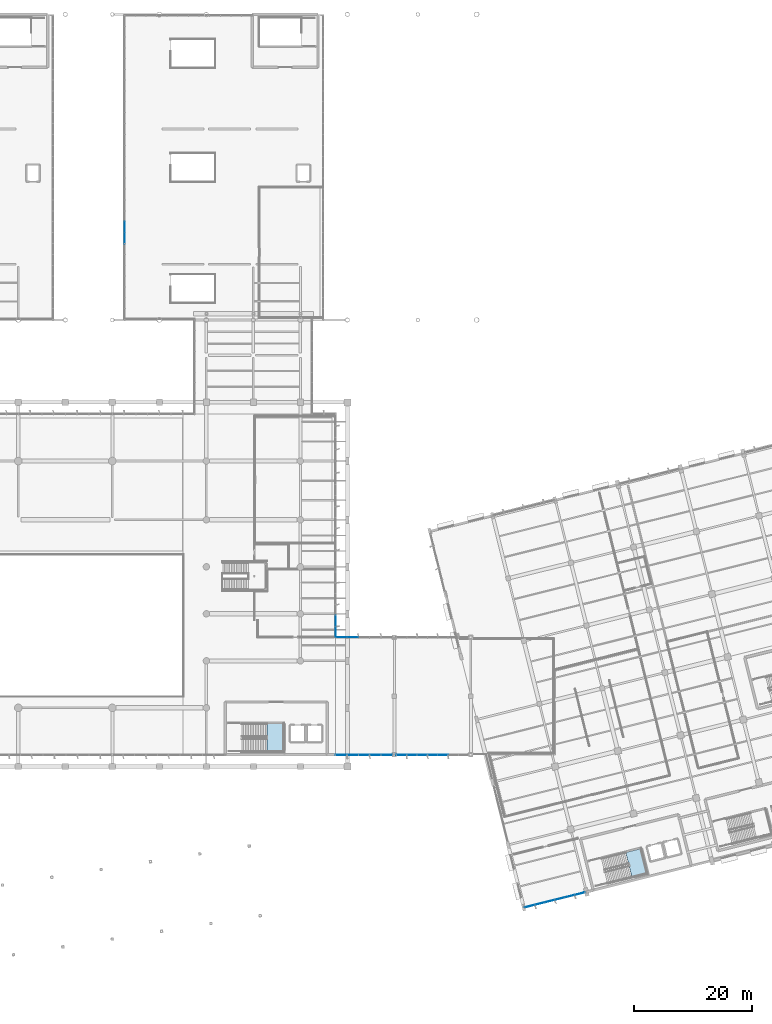
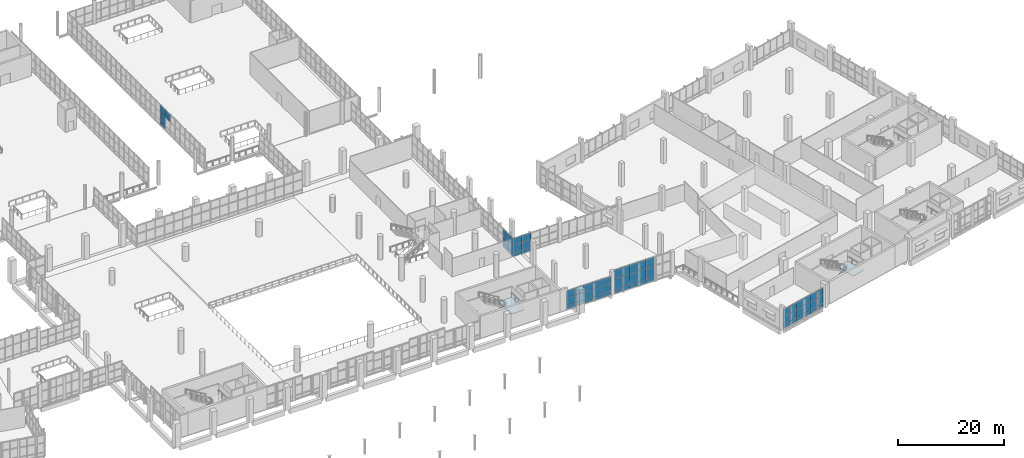
# One storey, part 127 of 176: 64 plates, 2 slabs, 8 elements without a shape of their own.
"""IFC4 building model written with IfcOpenShell, lengths in metres."""

from ifc_helpers import new_model, si_unit, direction, frame, origin, origin_2d, place, context, subcontext, project, spatial, polyline, rectangle, outline, extrude, material, layer, layer_set, type_object, element, aggregate, save


model = new_model("IFC4")

# Units and contexts
model_context = context("Model", 3, precision=1e-05, world=origin(), true_north=direction((0.0, 1.0)))
body_context = subcontext(model_context, "Body", "Model", "MODEL_VIEW")
ifc_project = project(units=[si_unit("LENGTHUNIT", "METRE"), si_unit("AREAUNIT", "SQUARE_METRE"), si_unit("VOLUMEUNIT", "CUBIC_METRE"), si_unit("PLANEANGLEUNIT", "RADIAN"), si_unit("MASSUNIT", "GRAM", prefix="KILO")], contexts=[model_context])

# Site, building, storey
site_placement = place(None, origin())
site = spatial("IfcSite", under=ifc_project, at=site_placement, CompositionType="ELEMENT")
building_placement = place(site_placement, origin())
building = spatial("IfcBuilding", under=site, at=building_placement, Name="Khorjan Park Terminus", CompositionType="ELEMENT")
storey_placement = place(building_placement, frame((0.0, 0.0, 6.0)))
storey = spatial("IfcBuildingStorey", under=building, at=storey_placement, Name="L01", CompositionType="ELEMENT", Elevation=6.0)

# Curtain wall, plates
ifc_material_1 = material(Name="Anodized Bronze Aluminium", Category="aluminium")
ifc_layer_1 = layer(ifc_material_1, 0.22)
ifc_layer_set_1 = layer_set([ifc_layer_1], Name="Anodized Bronze Aluminium")
curtain_wall_type_1 = type_object("IfcCurtainWallType", Name="CW-BRG-D", PredefinedType="NOTDEFINED", material=ifc_layer_set_1)
curtain_wall_1_placement = place(storey_placement, origin())
curtain_wall_1 = element("IfcCurtainWall", 1, at=curtain_wall_1_placement, inside=storey, type_object=curtain_wall_type_1, Name="Unitized curtain wall CW-D (CW-BRE-W-2)", PredefinedType="NOTDEFINED")
ifc_material_2 = material(Name="Low-E Solar Control Double Glazing", Category="glass")
ifc_layer_2 = layer(ifc_material_2, 0.032)
ifc_layer_set_2 = layer_set([ifc_layer_2], Name="Low-E Solar Control Double Glazing")
plate_type_1 = type_object("IfcPlateType", Name="GL-VIS-32", PredefinedType="CURTAIN_PANEL", material=ifc_layer_set_2)
plate_1_placement = place(storey_placement, frame((98.1, 117.7857, 0.85), z_axis=(0.0, 0.0, 1.0), x_axis=(0.0, -1.0, 0.0)))
plate_1 = element("IfcPlate", 2, at=plate_1_placement, type_object=plate_type_1, Name="Curtain-wall panel VP-32 (CW-BRE-W-2-5-2)", PredefinedType="CURTAIN_PANEL", context=body_context, shape_type="SweptSolid", body=[
    extrude(rectangle(XDim=1.8571, YDim=0.032, at=origin_2d()), origin(), (0.0, 0.0, 1.0), 2.002),
])
plate_2_placement = place(storey_placement, frame((98.1, 117.7857, 2.852), z_axis=(0.0, 0.0, 1.0), x_axis=(0.0, -1.0, 0.0)))
plate_2 = element("IfcPlate", 3, at=plate_2_placement, type_object=plate_type_1, Name="Curtain-wall panel VP-32 (CW-BRE-W-2-5-3)", PredefinedType="CURTAIN_PANEL", context=body_context, shape_type="SweptSolid", body=[
    extrude(rectangle(XDim=1.8571, YDim=0.032, at=origin_2d()), origin(), (0.0, 0.0, 1.0), 1.758),
])
plate_3_placement = place(storey_placement, frame((98.1, 115.9286, 2.852), z_axis=(0.0, 0.0, 1.0), x_axis=(0.0, -1.0, 0.0)))
plate_3 = element("IfcPlate", 4, at=plate_3_placement, type_object=plate_type_1, Name="Curtain-wall panel VP-32 (CW-BRE-W-2-6-3)", PredefinedType="CURTAIN_PANEL", context=body_context, shape_type="SweptSolid", body=[
    extrude(rectangle(XDim=1.8571, YDim=0.032, at=origin_2d()), origin(), (0.0, 0.0, 1.0), 1.758),
])

ifc_layer_3 = layer(ifc_material_1, 0.22)
ifc_layer_set_3 = layer_set([ifc_layer_3], Name="Anodized Bronze Aluminium")
curtain_wall_type_2 = type_object("IfcCurtainWallType", Name="CW-OPS-B", PredefinedType="NOTDEFINED", material=ifc_layer_set_3)
curtain_wall_2_placement = place(storey_placement, origin())
curtain_wall_2 = element("IfcCurtainWall", 5, at=curtain_wall_2_placement, inside=storey, type_object=curtain_wall_type_2, Name="Unitized curtain wall CW-B (CW-V5L-S-L01-1)", PredefinedType="NOTDEFINED")
ifc_material_3 = material(Name="Acoustic Laminated Solar Glazing", Category="glass")
ifc_layer_4 = layer(ifc_material_3, 0.036)
ifc_layer_set_4 = layer_set([ifc_layer_4], Name="Acoustic Laminated Solar Glazing")
plate_type_2 = type_object("IfcPlateType", Name="GL-VIS-36", PredefinedType="CURTAIN_PANEL", material=ifc_layer_set_4)
plate_4_placement = place(storey_placement, frame((134.9645, 28.0, 0.85), z_axis=(0.0, 0.0, 1.0), x_axis=(1.0, 0.0, 0.0)))
plate_4 = element("IfcPlate", 6, at=plate_4_placement, type_object=plate_type_2, Name="Curtain-wall panel VP-36 (CW-V5L-S-L01-1-0-2)", PredefinedType="CURTAIN_PANEL", context=body_context, shape_type="SweptSolid", body=[
    extrude(rectangle(XDim=1.929, YDim=0.036, at=origin_2d()), origin(), (0.0, 0.0, 1.0), 1.7695),
])
plate_5_placement = place(storey_placement, frame((134.9645, 28.0, 2.6196), z_axis=(0.0, 0.0, 1.0), x_axis=(1.0, 0.0, 0.0)))
plate_5 = element("IfcPlate", 7, at=plate_5_placement, type_object=plate_type_2, Name="Curtain-wall panel VP-36 (CW-V5L-S-L01-1-0-3)", PredefinedType="CURTAIN_PANEL", context=body_context, shape_type="SweptSolid", body=[
    extrude(rectangle(XDim=1.929, YDim=0.036, at=origin_2d()), origin(), (0.0, 0.0, 1.0), 1.6155),
])
plate_6_placement = place(storey_placement, frame((136.8935, 28.0, 0.85), z_axis=(0.0, 0.0, 1.0), x_axis=(1.0, 0.0, 0.0)))
plate_6 = element("IfcPlate", 8, at=plate_6_placement, type_object=plate_type_2, Name="Curtain-wall panel VP-36 (CW-V5L-S-L01-1-1-2)", PredefinedType="CURTAIN_PANEL", context=body_context, shape_type="SweptSolid", body=[
    extrude(rectangle(XDim=1.929, YDim=0.036, at=origin_2d()), origin(), (0.0, 0.0, 1.0), 1.7695),
])
plate_7_placement = place(storey_placement, frame((136.8935, 28.0, 2.6196), z_axis=(0.0, 0.0, 1.0), x_axis=(1.0, 0.0, 0.0)))
plate_7 = element("IfcPlate", 9, at=plate_7_placement, type_object=plate_type_2, Name="Curtain-wall panel VP-36 (CW-V5L-S-L01-1-1-3)", PredefinedType="CURTAIN_PANEL", context=body_context, shape_type="SweptSolid", body=[
    extrude(rectangle(XDim=1.929, YDim=0.036, at=origin_2d()), origin(), (0.0, 0.0, 1.0), 1.6155),
])
plate_8_placement = place(storey_placement, frame((138.8225, 28.0, 0.85), z_axis=(0.0, 0.0, 1.0), x_axis=(1.0, 0.0, 0.0)))
plate_8 = element("IfcPlate", 10, at=plate_8_placement, type_object=plate_type_2, Name="Curtain-wall panel VP-36 (CW-V5L-S-L01-1-2-2)", PredefinedType="CURTAIN_PANEL", context=body_context, shape_type="SweptSolid", body=[
    extrude(rectangle(XDim=1.929, YDim=0.036, at=origin_2d()), origin(), (0.0, 0.0, 1.0), 1.7695),
])
plate_9_placement = place(storey_placement, frame((138.8225, 28.0, 2.6196), z_axis=(0.0, 0.0, 1.0), x_axis=(1.0, 0.0, 0.0)))
plate_9 = element("IfcPlate", 11, at=plate_9_placement, type_object=plate_type_2, Name="Curtain-wall panel VP-36 (CW-V5L-S-L01-1-2-3)", PredefinedType="CURTAIN_PANEL", context=body_context, shape_type="SweptSolid", body=[
    extrude(rectangle(XDim=1.929, YDim=0.036, at=origin_2d()), origin(), (0.0, 0.0, 1.0), 1.6155),
])
plate_10_placement = place(storey_placement, frame((140.7515, 28.0, 0.85), z_axis=(0.0, 0.0, 1.0), x_axis=(1.0, 0.0, 0.0)))
plate_10 = element("IfcPlate", 12, at=plate_10_placement, type_object=plate_type_2, Name="Curtain-wall panel VP-36 (CW-V5L-S-L01-1-3-2)", PredefinedType="CURTAIN_PANEL", context=body_context, shape_type="SweptSolid", body=[
    extrude(rectangle(XDim=1.929, YDim=0.036, at=origin_2d()), origin(), (0.0, 0.0, 1.0), 1.7695),
])
plate_11_placement = place(storey_placement, frame((140.7515, 28.0, 2.6196), z_axis=(0.0, 0.0, 1.0), x_axis=(1.0, 0.0, 0.0)))
plate_11 = element("IfcPlate", 13, at=plate_11_placement, type_object=plate_type_2, Name="Curtain-wall panel VP-36 (CW-V5L-S-L01-1-3-3)", PredefinedType="CURTAIN_PANEL", context=body_context, shape_type="SweptSolid", body=[
    extrude(rectangle(XDim=1.929, YDim=0.036, at=origin_2d()), origin(), (0.0, 0.0, 1.0), 1.6155),
])
plate_12_placement = place(storey_placement, frame((142.6805, 28.0, 0.85), z_axis=(0.0, 0.0, 1.0), x_axis=(1.0, 0.0, 0.0)))
plate_12 = element("IfcPlate", 14, at=plate_12_placement, type_object=plate_type_2, Name="Curtain-wall panel VP-36 (CW-V5L-S-L01-1-4-2)", PredefinedType="CURTAIN_PANEL", context=body_context, shape_type="SweptSolid", body=[
    extrude(rectangle(XDim=1.929, YDim=0.036, at=origin_2d()), origin(), (0.0, 0.0, 1.0), 1.7695),
])
plate_13_placement = place(storey_placement, frame((142.6805, 28.0, 2.6196), z_axis=(0.0, 0.0, 1.0), x_axis=(1.0, 0.0, 0.0)))
plate_13 = element("IfcPlate", 15, at=plate_13_placement, type_object=plate_type_2, Name="Curtain-wall panel VP-36 (CW-V5L-S-L01-1-4-3)", PredefinedType="CURTAIN_PANEL", context=body_context, shape_type="SweptSolid", body=[
    extrude(rectangle(XDim=1.929, YDim=0.036, at=origin_2d()), origin(), (0.0, 0.0, 1.0), 1.6155),
])

curtain_wall_3_placement = place(storey_placement, origin())
curtain_wall_3 = element("IfcCurtainWall", 16, at=curtain_wall_3_placement, inside=storey, type_object=curtain_wall_type_2, Name="Unitized curtain wall CW-B (CW-V5L-N-L01-1)", PredefinedType="NOTDEFINED")
plate_14_placement = place(storey_placement, frame((136.8935, 48.0, 0.85), z_axis=(0.0, 0.0, 1.0), x_axis=(-1.0, 0.0, 0.0)))
plate_14 = element("IfcPlate", 17, at=plate_14_placement, type_object=plate_type_2, Name="Curtain-wall panel VP-36 (CW-V5L-N-L01-1-3-2)", PredefinedType="CURTAIN_PANEL", context=body_context, shape_type="SweptSolid", body=[
    extrude(rectangle(XDim=1.929, YDim=0.036, at=origin_2d()), origin(), (0.0, 0.0, 1.0), 1.7695),
])
plate_15_placement = place(storey_placement, frame((136.8935, 48.0, 2.6196), z_axis=(0.0, 0.0, 1.0), x_axis=(-1.0, 0.0, 0.0)))
plate_15 = element("IfcPlate", 18, at=plate_15_placement, type_object=plate_type_2, Name="Curtain-wall panel VP-36 (CW-V5L-N-L01-1-3-3)", PredefinedType="CURTAIN_PANEL", context=body_context, shape_type="SweptSolid", body=[
    extrude(rectangle(XDim=1.929, YDim=0.036, at=origin_2d()), origin(), (0.0, 0.0, 1.0), 1.6155),
])
plate_16_placement = place(storey_placement, frame((134.9645, 48.0, 0.85), z_axis=(0.0, 0.0, 1.0), x_axis=(-1.0, 0.0, 0.0)))
plate_16 = element("IfcPlate", 19, at=plate_16_placement, type_object=plate_type_2, Name="Curtain-wall panel VP-36 (CW-V5L-N-L01-1-4-2)", PredefinedType="CURTAIN_PANEL", context=body_context, shape_type="SweptSolid", body=[
    extrude(rectangle(XDim=1.929, YDim=0.036, at=origin_2d()), origin(), (0.0, 0.0, 1.0), 1.7695),
])
plate_17_placement = place(storey_placement, frame((134.9645, 48.0, 2.6196), z_axis=(0.0, 0.0, 1.0), x_axis=(-1.0, 0.0, 0.0)))
plate_17 = element("IfcPlate", 20, at=plate_17_placement, type_object=plate_type_2, Name="Curtain-wall panel VP-36 (CW-V5L-N-L01-1-4-3)", PredefinedType="CURTAIN_PANEL", context=body_context, shape_type="SweptSolid", body=[
    extrude(rectangle(XDim=1.929, YDim=0.036, at=origin_2d()), origin(), (0.0, 0.0, 1.0), 1.6155),
])

curtain_wall_4_placement = place(storey_placement, origin())
curtain_wall_4 = element("IfcCurtainWall", 21, at=curtain_wall_4_placement, inside=storey, type_object=curtain_wall_type_2, Name="Unitized curtain wall CW-B (CW-V5L-S-L01-2)", PredefinedType="NOTDEFINED")
plate_18_placement = place(storey_placement, frame((145.2328, 28.0, 0.85), z_axis=(0.0, 0.0, 1.0), x_axis=(1.0, 0.0, 0.0)))
plate_18 = element("IfcPlate", 22, at=plate_18_placement, type_object=plate_type_2, Name="Curtain-wall panel VP-36 (CW-V5L-S-L01-2-0-2)", PredefinedType="CURTAIN_PANEL", context=body_context, shape_type="SweptSolid", body=[
    extrude(rectangle(XDim=1.7557, YDim=0.036, at=origin_2d()), origin(), (0.0, 0.0, 1.0), 2.498),
])
plate_19_placement = place(storey_placement, frame((145.2328, 28.0, 3.348), z_axis=(0.0, 0.0, 1.0), x_axis=(1.0, 0.0, 0.0)))
plate_19 = element("IfcPlate", 23, at=plate_19_placement, type_object=plate_type_2, Name="Curtain-wall panel VP-36 (CW-V5L-S-L01-2-0-3)", PredefinedType="CURTAIN_PANEL", context=body_context, shape_type="SweptSolid", body=[
    extrude(rectangle(XDim=1.7557, YDim=0.036, at=origin_2d()), origin(), (0.0, 0.0, 1.0), 2.062),
])
plate_20_placement = place(storey_placement, frame((146.9886, 28.0, 0.85), z_axis=(0.0, 0.0, 1.0), x_axis=(1.0, 0.0, 0.0)))
plate_20 = element("IfcPlate", 24, at=plate_20_placement, type_object=plate_type_2, Name="Curtain-wall panel VP-36 (CW-V5L-S-L01-2-1-2)", PredefinedType="CURTAIN_PANEL", context=body_context, shape_type="SweptSolid", body=[
    extrude(rectangle(XDim=1.7557, YDim=0.036, at=origin_2d()), origin(), (0.0, 0.0, 1.0), 2.498),
])
plate_21_placement = place(storey_placement, frame((146.9886, 28.0, 3.348), z_axis=(0.0, 0.0, 1.0), x_axis=(1.0, 0.0, 0.0)))
plate_21 = element("IfcPlate", 25, at=plate_21_placement, type_object=plate_type_2, Name="Curtain-wall panel VP-36 (CW-V5L-S-L01-2-1-3)", PredefinedType="CURTAIN_PANEL", context=body_context, shape_type="SweptSolid", body=[
    extrude(rectangle(XDim=1.7557, YDim=0.036, at=origin_2d()), origin(), (0.0, 0.0, 1.0), 2.062),
])
plate_22_placement = place(storey_placement, frame((148.7442, 28.0, 0.85), z_axis=(0.0, 0.0, 1.0), x_axis=(1.0, 0.0, 0.0)))
plate_22 = element("IfcPlate", 26, at=plate_22_placement, type_object=plate_type_2, Name="Curtain-wall panel VP-36 (CW-V5L-S-L01-2-2-2)", PredefinedType="CURTAIN_PANEL", context=body_context, shape_type="SweptSolid", body=[
    extrude(rectangle(XDim=1.7557, YDim=0.036, at=origin_2d()), origin(), (0.0, 0.0, 1.0), 2.498),
])
plate_23_placement = place(storey_placement, frame((148.7442, 28.0, 3.348), z_axis=(0.0, 0.0, 1.0), x_axis=(1.0, 0.0, 0.0)))
plate_23 = element("IfcPlate", 27, at=plate_23_placement, type_object=plate_type_2, Name="Curtain-wall panel VP-36 (CW-V5L-S-L01-2-2-3)", PredefinedType="CURTAIN_PANEL", context=body_context, shape_type="SweptSolid", body=[
    extrude(rectangle(XDim=1.7557, YDim=0.036, at=origin_2d()), origin(), (0.0, 0.0, 1.0), 2.062),
])
plate_24_placement = place(storey_placement, frame((150.5, 28.0, 0.85), z_axis=(0.0, 0.0, 1.0), x_axis=(1.0, 0.0, 0.0)))
plate_24 = element("IfcPlate", 28, at=plate_24_placement, type_object=plate_type_2, Name="Curtain-wall panel VP-36 (CW-V5L-S-L01-2-3-2)", PredefinedType="CURTAIN_PANEL", context=body_context, shape_type="SweptSolid", body=[
    extrude(rectangle(XDim=1.7557, YDim=0.036, at=origin_2d()), origin(), (0.0, 0.0, 1.0), 2.498),
])
plate_25_placement = place(storey_placement, frame((150.5, 28.0, 3.348), z_axis=(0.0, 0.0, 1.0), x_axis=(1.0, 0.0, 0.0)))
plate_25 = element("IfcPlate", 29, at=plate_25_placement, type_object=plate_type_2, Name="Curtain-wall panel VP-36 (CW-V5L-S-L01-2-3-3)", PredefinedType="CURTAIN_PANEL", context=body_context, shape_type="SweptSolid", body=[
    extrude(rectangle(XDim=1.7557, YDim=0.036, at=origin_2d()), origin(), (0.0, 0.0, 1.0), 2.062),
])
plate_26_placement = place(storey_placement, frame((152.2558, 28.0, 0.85), z_axis=(0.0, 0.0, 1.0), x_axis=(1.0, 0.0, 0.0)))
plate_26 = element("IfcPlate", 30, at=plate_26_placement, type_object=plate_type_2, Name="Curtain-wall panel VP-36 (CW-V5L-S-L01-2-4-2)", PredefinedType="CURTAIN_PANEL", context=body_context, shape_type="SweptSolid", body=[
    extrude(rectangle(XDim=1.7557, YDim=0.036, at=origin_2d()), origin(), (0.0, 0.0, 1.0), 2.498),
])
plate_27_placement = place(storey_placement, frame((152.2558, 28.0, 3.348), z_axis=(0.0, 0.0, 1.0), x_axis=(1.0, 0.0, 0.0)))
plate_27 = element("IfcPlate", 31, at=plate_27_placement, type_object=plate_type_2, Name="Curtain-wall panel VP-36 (CW-V5L-S-L01-2-4-3)", PredefinedType="CURTAIN_PANEL", context=body_context, shape_type="SweptSolid", body=[
    extrude(rectangle(XDim=1.7557, YDim=0.036, at=origin_2d()), origin(), (0.0, 0.0, 1.0), 2.062),
])

curtain_wall_5_placement = place(storey_placement, origin())
curtain_wall_5 = element("IfcCurtainWall", 32, at=curtain_wall_5_placement, inside=storey, type_object=curtain_wall_type_2, Name="Unitized curtain wall CW-B (CW-V5-S-L01-B01)", PredefinedType="NOTDEFINED")
plate_28_placement = place(storey_placement, frame((167.0673, 2.266, 0.8499), z_axis=(0.0, 0.0, 1.0), x_axis=(0.970295567478, 0.241922532503, 0.0)))
plate_28 = element("IfcPlate", 33, at=plate_28_placement, type_object=plate_type_2, Name="Curtain-wall panel VP-36 (CW-V5-S-L01-B01-0-2)", PredefinedType="CURTAIN_PANEL", context=body_context, shape_type="SweptSolid", body=[
    extrude(rectangle(XDim=1.74, YDim=0.036, at=origin_2d()), origin(), (0.0, 0.0, 1.0), 1.8687),
])
plate_29_placement = place(storey_placement, frame((167.0673, 2.266, 2.7188), z_axis=(0.0, 0.0, 1.0), x_axis=(0.970295567478, 0.241922532503, 0.0)))
plate_29 = element("IfcPlate", 34, at=plate_29_placement, type_object=plate_type_2, Name="Curtain-wall panel VP-36 (CW-V5-S-L01-B01-0-3)", PredefinedType="CURTAIN_PANEL", context=body_context, shape_type="SweptSolid", body=[
    extrude(rectangle(XDim=1.74, YDim=0.036, at=origin_2d()), origin(), (0.0, 0.0, 1.0), 1.6763),
])
plate_30_placement = place(storey_placement, frame((168.7556, 2.687, 0.8499), z_axis=(0.0, 0.0, 1.0), x_axis=(0.970295567478, 0.241922532503, 0.0)))
plate_30 = element("IfcPlate", 35, at=plate_30_placement, type_object=plate_type_2, Name="Curtain-wall panel VP-36 (CW-V5-S-L01-B01-1-2)", PredefinedType="CURTAIN_PANEL", context=body_context, shape_type="SweptSolid", body=[
    extrude(rectangle(XDim=1.74, YDim=0.036, at=origin_2d()), origin(), (0.0, 0.0, 1.0), 1.8687),
])
plate_31_placement = place(storey_placement, frame((168.7556, 2.687, 2.7188), z_axis=(0.0, 0.0, 1.0), x_axis=(0.970295567478, 0.241922532503, 0.0)))
plate_31 = element("IfcPlate", 36, at=plate_31_placement, type_object=plate_type_2, Name="Curtain-wall panel VP-36 (CW-V5-S-L01-B01-1-3)", PredefinedType="CURTAIN_PANEL", context=body_context, shape_type="SweptSolid", body=[
    extrude(rectangle(XDim=1.74, YDim=0.036, at=origin_2d()), origin(), (0.0, 0.0, 1.0), 1.6763),
])
plate_32_placement = place(storey_placement, frame((170.4438, 3.1079, 0.8499), z_axis=(0.0, 0.0, 1.0), x_axis=(0.970295567478, 0.241922532503, 0.0)))
plate_32 = element("IfcPlate", 37, at=plate_32_placement, type_object=plate_type_2, Name="Curtain-wall panel VP-36 (CW-V5-S-L01-B01-2-2)", PredefinedType="CURTAIN_PANEL", context=body_context, shape_type="SweptSolid", body=[
    extrude(rectangle(XDim=1.74, YDim=0.036, at=origin_2d()), origin(), (0.0, 0.0, 1.0), 1.8687),
])
plate_33_placement = place(storey_placement, frame((170.4438, 3.1079, 2.7188), z_axis=(0.0, 0.0, 1.0), x_axis=(0.970295567478, 0.241922532503, 0.0)))
plate_33 = element("IfcPlate", 38, at=plate_33_placement, type_object=plate_type_2, Name="Curtain-wall panel VP-36 (CW-V5-S-L01-B01-2-3)", PredefinedType="CURTAIN_PANEL", context=body_context, shape_type="SweptSolid", body=[
    extrude(rectangle(XDim=1.74, YDim=0.036, at=origin_2d()), origin(), (0.0, 0.0, 1.0), 1.6763),
])
plate_34_placement = place(storey_placement, frame((172.1322, 3.5289, 0.8499), z_axis=(0.0, 0.0, 1.0), x_axis=(0.970295567478, 0.241922532503, 0.0)))
plate_34 = element("IfcPlate", 39, at=plate_34_placement, type_object=plate_type_2, Name="Curtain-wall panel VP-36 (CW-V5-S-L01-B01-3-2)", PredefinedType="CURTAIN_PANEL", context=body_context, shape_type="SweptSolid", body=[
    extrude(rectangle(XDim=1.74, YDim=0.036, at=origin_2d()), origin(), (0.0, 0.0, 1.0), 1.8687),
])
plate_35_placement = place(storey_placement, frame((172.1322, 3.5289, 2.7188), z_axis=(0.0, 0.0, 1.0), x_axis=(0.970295567478, 0.241922532503, 0.0)))
plate_35 = element("IfcPlate", 40, at=plate_35_placement, type_object=plate_type_2, Name="Curtain-wall panel VP-36 (CW-V5-S-L01-B01-3-3)", PredefinedType="CURTAIN_PANEL", context=body_context, shape_type="SweptSolid", body=[
    extrude(rectangle(XDim=1.74, YDim=0.036, at=origin_2d()), origin(), (0.0, 0.0, 1.0), 1.6763),
])
plate_36_placement = place(storey_placement, frame((173.8204, 3.9498, 0.8499), z_axis=(0.0, 0.0, 1.0), x_axis=(0.970295567478, 0.241922532503, 0.0)))
plate_36 = element("IfcPlate", 41, at=plate_36_placement, type_object=plate_type_2, Name="Curtain-wall panel VP-36 (CW-V5-S-L01-B01-4-2)", PredefinedType="CURTAIN_PANEL", context=body_context, shape_type="SweptSolid", body=[
    extrude(rectangle(XDim=1.74, YDim=0.036, at=origin_2d()), origin(), (0.0, 0.0, 1.0), 1.8687),
])
plate_37_placement = place(storey_placement, frame((173.8204, 3.9498, 2.7188), z_axis=(0.0, 0.0, 1.0), x_axis=(0.970295567478, 0.241922532503, 0.0)))
plate_37 = element("IfcPlate", 42, at=plate_37_placement, type_object=plate_type_2, Name="Curtain-wall panel VP-36 (CW-V5-S-L01-B01-4-3)", PredefinedType="CURTAIN_PANEL", context=body_context, shape_type="SweptSolid", body=[
    extrude(rectangle(XDim=1.74, YDim=0.036, at=origin_2d()), origin(), (0.0, 0.0, 1.0), 1.6763),
])
plate_38_placement = place(storey_placement, frame((175.5086, 4.3708, 0.8499), z_axis=(0.0, 0.0, 1.0), x_axis=(0.970295567478, 0.241922532503, 0.0)))
plate_38 = element("IfcPlate", 43, at=plate_38_placement, type_object=plate_type_2, Name="Curtain-wall panel VP-36 (CW-V5-S-L01-B01-5-2)", PredefinedType="CURTAIN_PANEL", context=body_context, shape_type="SweptSolid", body=[
    extrude(rectangle(XDim=1.74, YDim=0.036, at=origin_2d()), origin(), (0.0, 0.0, 1.0), 1.8687),
])
plate_39_placement = place(storey_placement, frame((175.5086, 4.3708, 2.7188), z_axis=(0.0, 0.0, 1.0), x_axis=(0.970295567478, 0.241922532503, 0.0)))
plate_39 = element("IfcPlate", 44, at=plate_39_placement, type_object=plate_type_2, Name="Curtain-wall panel VP-36 (CW-V5-S-L01-B01-5-3)", PredefinedType="CURTAIN_PANEL", context=body_context, shape_type="SweptSolid", body=[
    extrude(rectangle(XDim=1.74, YDim=0.036, at=origin_2d()), origin(), (0.0, 0.0, 1.0), 1.6763),
])

ifc_layer_5 = layer(ifc_material_1, 0.22)
ifc_layer_set_5 = layer_set([ifc_layer_5], Name="Anodized Bronze Aluminium")
curtain_wall_type_3 = type_object("IfcCurtainWallType", Name="CW-CONC-A", PredefinedType="NOTDEFINED", material=ifc_layer_set_5)
curtain_wall_6_placement = place(storey_placement, origin())
curtain_wall_6 = element("IfcCurtainWall", 45, at=curtain_wall_6_placement, inside=storey, type_object=curtain_wall_type_3, Name="Unitized curtain wall CW-A (CW-V2-E-L01-02)", PredefinedType="NOTDEFINED")
ifc_material_4 = material(Name="Triple Low-E High-Selectivity Glazing", Category="glass")
ifc_layer_6 = layer(ifc_material_4, 0.04)
ifc_layer_set_6 = layer_set([ifc_layer_6], Name="Triple Low-E High-Selectivity Glazing")
plate_type_3 = type_object("IfcPlateType", Name="GL-VIS-40", PredefinedType="CURTAIN_PANEL", material=ifc_layer_set_6)
plate_40_placement = place(storey_placement, frame((134.0, 48.9286, 0.85), z_axis=(0.0, 0.0, 1.0), x_axis=(0.0, 1.0, 0.0)))
plate_40 = element("IfcPlate", 46, at=plate_40_placement, type_object=plate_type_3, Name="Curtain-wall panel VP-40 (CW-V2-E-L01-02-0-2)", PredefinedType="CURTAIN_PANEL", context=body_context, shape_type="SweptSolid", body=[
    extrude(rectangle(XDim=1.8571, YDim=0.04, at=origin_2d()), origin(), (0.0, 0.0, 1.0), 1.7633),
])
plate_41_placement = place(storey_placement, frame((134.0, 48.9286, 2.6134), z_axis=(0.0, 0.0, 1.0), x_axis=(0.0, 1.0, 0.0)))
plate_41 = element("IfcPlate", 47, at=plate_41_placement, type_object=plate_type_3, Name="Curtain-wall panel VP-40 (CW-V2-E-L01-02-0-3)", PredefinedType="CURTAIN_PANEL", context=body_context, shape_type="SweptSolid", body=[
    extrude(rectangle(XDim=1.8571, YDim=0.04, at=origin_2d()), origin(), (0.0, 0.0, 1.0), 1.6117),
])
plate_42_placement = place(storey_placement, frame((134.0, 50.7857, 0.85), z_axis=(0.0, 0.0, 1.0), x_axis=(0.0, 1.0, 0.0)))
plate_42 = element("IfcPlate", 48, at=plate_42_placement, type_object=plate_type_3, Name="Curtain-wall panel VP-40 (CW-V2-E-L01-02-1-2)", PredefinedType="CURTAIN_PANEL", context=body_context, shape_type="SweptSolid", body=[
    extrude(rectangle(XDim=1.8571, YDim=0.04, at=origin_2d()), origin(), (0.0, 0.0, 1.0), 1.7633),
])
plate_43_placement = place(storey_placement, frame((134.0, 50.7857, 2.6134), z_axis=(0.0, 0.0, 1.0), x_axis=(0.0, 1.0, 0.0)))
plate_43 = element("IfcPlate", 49, at=plate_43_placement, type_object=plate_type_3, Name="Curtain-wall panel VP-40 (CW-V2-E-L01-02-1-3)", PredefinedType="CURTAIN_PANEL", context=body_context, shape_type="SweptSolid", body=[
    extrude(rectangle(XDim=1.8571, YDim=0.04, at=origin_2d()), origin(), (0.0, 0.0, 1.0), 1.6117),
])

# Stair, slab
ifc_material_5 = material(Name="Concrete C40/50", Category="concrete")
stair_type_1 = type_object("IfcStairType", Name="STR-CORE-220", PredefinedType="HALF_TURN_STAIR", material=ifc_material_5)
stair_1_placement = place(storey_placement, origin())
stair_1 = element("IfcStair", 50, at=stair_1_placement, inside=storey, type_object=stair_type_1, Name="L01 East Concourse Core exit stair ST-02", PredefinedType="HALF_TURN_STAIR")
ifc_layer_7 = layer(ifc_material_5, 0.2)
ifc_layer_set_7 = layer_set([ifc_layer_7], Name="Concrete C40/50")
slab_type = type_object("IfcSlabType", Name="SL-LND-200", PredefinedType="LANDING", material=ifc_layer_set_7)
slab_1_placement = place(storey_placement, frame((0.0, 0.0, 2.5)))
slab_1 = element("IfcSlab", 51, at=slab_1_placement, type_object=slab_type, Name="ST-02 landing 1", PredefinedType="LANDING", context=body_context, shape_type="SweptSolid", body=[
    extrude(outline(polyline([(122.32, 28.55), (125.2, 28.55), (125.2, 33.31), (122.32, 33.31), (122.32, 28.55)])), origin(), (0.0, 0.0, 1.0), 0.2),
])
aggregate(stair_1, [slab_1])

stair_type_2 = type_object("IfcStairType", Name="STR-CORE-200", PredefinedType="HALF_TURN_STAIR", material=ifc_material_5)
stair_2_placement = place(storey_placement, origin())
stair_2 = element("IfcStair", 52, at=stair_2_placement, inside=storey, type_object=stair_type_2, Name="L01 Operations West Firefighting Core exit stair ST-03", PredefinedType="HALF_TURN_STAIR")
slab_2_placement = place(storey_placement, frame((0.0, 0.0, 2.5)))
slab_2 = element("IfcSlab", 53, at=slab_2_placement, type_object=slab_type, Name="ST-03 landing 1", PredefinedType="LANDING", context=body_context, shape_type="SweptSolid", body=[
    extrude(outline(polyline([(184.419, 7.1591), (187.0194, 7.8075), (185.9646, 12.038), (183.3642, 11.3896), (184.419, 7.1591)])), origin(), (0.0, 0.0, 1.0), 0.2),
])
aggregate(stair_2, [slab_2])

# Plate
ifc_material_6 = material(Name="Insulated Anodized Bronze Spandrel Panel")
ifc_layer_8 = layer(ifc_material_6, 0.045)
ifc_layer_set_8 = layer_set([ifc_layer_8], Name="Insulated Anodized Bronze Spandrel Panel")
plate_type_4 = type_object("IfcPlateType", Name="SP-AL-45", PredefinedType="CURTAIN_PANEL", material=ifc_layer_set_8)
plate_44_placement = place(storey_placement, frame((134.0, 48.9286, -0.01), z_axis=(0.0, 0.0, 1.0), x_axis=(0.0, 1.0, 0.0)))
plate_44 = element("IfcPlate", 54, at=plate_44_placement, type_object=plate_type_4, Name="Curtain-wall panel SP-A45 (CW-V2-E-L01-02-0-1)", PredefinedType="CURTAIN_PANEL", context=body_context, shape_type="SweptSolid", body=[
    extrude(rectangle(XDim=1.8571, YDim=0.045, at=origin_2d()), origin(), (0.0, 0.0, 1.0), 0.86),
])

plate_45_placement = place(storey_placement, frame((134.0, 50.7857, -0.01), z_axis=(0.0, 0.0, 1.0), x_axis=(0.0, 1.0, 0.0)))
plate_45 = element("IfcPlate", 55, at=plate_45_placement, type_object=plate_type_4, Name="Curtain-wall panel SP-A45 (CW-V2-E-L01-02-1-1)", PredefinedType="CURTAIN_PANEL", context=body_context, shape_type="SweptSolid", body=[
    extrude(rectangle(XDim=1.8571, YDim=0.045, at=origin_2d()), origin(), (0.0, 0.0, 1.0), 0.86),
])

aggregate(curtain_wall_6, [plate_44, plate_40, plate_41, plate_45, plate_42, plate_43])

plate_46_placement = place(storey_placement, frame((134.9645, 28.0, -0.01), z_axis=(0.0, 0.0, 1.0), x_axis=(1.0, 0.0, 0.0)))
plate_46 = element("IfcPlate", 56, at=plate_46_placement, type_object=plate_type_4, Name="Curtain-wall panel SP-A45 (CW-V5L-S-L01-1-0-1)", PredefinedType="CURTAIN_PANEL", context=body_context, shape_type="SweptSolid", body=[
    extrude(rectangle(XDim=1.929, YDim=0.045, at=origin_2d()), origin(), (0.0, 0.0, 1.0), 0.86),
])

plate_47_placement = place(storey_placement, frame((136.8935, 28.0, -0.01), z_axis=(0.0, 0.0, 1.0), x_axis=(1.0, 0.0, 0.0)))
plate_47 = element("IfcPlate", 57, at=plate_47_placement, type_object=plate_type_4, Name="Curtain-wall panel SP-A45 (CW-V5L-S-L01-1-1-1)", PredefinedType="CURTAIN_PANEL", context=body_context, shape_type="SweptSolid", body=[
    extrude(rectangle(XDim=1.929, YDim=0.045, at=origin_2d()), origin(), (0.0, 0.0, 1.0), 0.86),
])

plate_48_placement = place(storey_placement, frame((138.8225, 28.0, -0.01), z_axis=(0.0, 0.0, 1.0), x_axis=(1.0, 0.0, 0.0)))
plate_48 = element("IfcPlate", 58, at=plate_48_placement, type_object=plate_type_4, Name="Curtain-wall panel SP-A45 (CW-V5L-S-L01-1-2-1)", PredefinedType="CURTAIN_PANEL", context=body_context, shape_type="SweptSolid", body=[
    extrude(rectangle(XDim=1.929, YDim=0.045, at=origin_2d()), origin(), (0.0, 0.0, 1.0), 0.86),
])

plate_49_placement = place(storey_placement, frame((140.7515, 28.0, -0.01), z_axis=(0.0, 0.0, 1.0), x_axis=(1.0, 0.0, 0.0)))
plate_49 = element("IfcPlate", 59, at=plate_49_placement, type_object=plate_type_4, Name="Curtain-wall panel SP-A45 (CW-V5L-S-L01-1-3-1)", PredefinedType="CURTAIN_PANEL", context=body_context, shape_type="SweptSolid", body=[
    extrude(rectangle(XDim=1.929, YDim=0.045, at=origin_2d()), origin(), (0.0, 0.0, 1.0), 0.86),
])

plate_50_placement = place(storey_placement, frame((142.6805, 28.0, -0.01), z_axis=(0.0, 0.0, 1.0), x_axis=(1.0, 0.0, 0.0)))
plate_50 = element("IfcPlate", 60, at=plate_50_placement, type_object=plate_type_4, Name="Curtain-wall panel SP-A45 (CW-V5L-S-L01-1-4-1)", PredefinedType="CURTAIN_PANEL", context=body_context, shape_type="SweptSolid", body=[
    extrude(rectangle(XDim=1.929, YDim=0.045, at=origin_2d()), origin(), (0.0, 0.0, 1.0), 0.86),
])

aggregate(curtain_wall_2, [plate_46, plate_4, plate_5, plate_47, plate_6, plate_7, plate_48, plate_8, plate_9, plate_49, plate_10, plate_11, plate_50, plate_12, plate_13])

plate_51_placement = place(storey_placement, frame((136.8935, 48.0, -0.01), z_axis=(0.0, 0.0, 1.0), x_axis=(-1.0, 0.0, 0.0)))
plate_51 = element("IfcPlate", 61, at=plate_51_placement, type_object=plate_type_4, Name="Curtain-wall panel SP-A45 (CW-V5L-N-L01-1-3-1)", PredefinedType="CURTAIN_PANEL", context=body_context, shape_type="SweptSolid", body=[
    extrude(rectangle(XDim=1.929, YDim=0.045, at=origin_2d()), origin(), (0.0, 0.0, 1.0), 0.86),
])

plate_52_placement = place(storey_placement, frame((134.9645, 48.0, -0.01), z_axis=(0.0, 0.0, 1.0), x_axis=(-1.0, 0.0, 0.0)))
plate_52 = element("IfcPlate", 62, at=plate_52_placement, type_object=plate_type_4, Name="Curtain-wall panel SP-A45 (CW-V5L-N-L01-1-4-1)", PredefinedType="CURTAIN_PANEL", context=body_context, shape_type="SweptSolid", body=[
    extrude(rectangle(XDim=1.929, YDim=0.045, at=origin_2d()), origin(), (0.0, 0.0, 1.0), 0.86),
])

aggregate(curtain_wall_3, [plate_51, plate_14, plate_15, plate_52, plate_16, plate_17])

plate_53_placement = place(storey_placement, frame((145.2328, 28.0, -0.01), z_axis=(0.0, 0.0, 1.0), x_axis=(1.0, 0.0, 0.0)))
plate_53 = element("IfcPlate", 63, at=plate_53_placement, type_object=plate_type_4, Name="Curtain-wall panel SP-A45 (CW-V5L-S-L01-2-0-1)", PredefinedType="CURTAIN_PANEL", context=body_context, shape_type="SweptSolid", body=[
    extrude(rectangle(XDim=1.7557, YDim=0.045, at=origin_2d()), origin(), (0.0, 0.0, 1.0), 0.86),
])

plate_54_placement = place(storey_placement, frame((146.9886, 28.0, -0.01), z_axis=(0.0, 0.0, 1.0), x_axis=(1.0, 0.0, 0.0)))
plate_54 = element("IfcPlate", 64, at=plate_54_placement, type_object=plate_type_4, Name="Curtain-wall panel SP-A45 (CW-V5L-S-L01-2-1-1)", PredefinedType="CURTAIN_PANEL", context=body_context, shape_type="SweptSolid", body=[
    extrude(rectangle(XDim=1.7557, YDim=0.045, at=origin_2d()), origin(), (0.0, 0.0, 1.0), 0.86),
])

plate_55_placement = place(storey_placement, frame((148.7442, 28.0, -0.01), z_axis=(0.0, 0.0, 1.0), x_axis=(1.0, 0.0, 0.0)))
plate_55 = element("IfcPlate", 65, at=plate_55_placement, type_object=plate_type_4, Name="Curtain-wall panel SP-A45 (CW-V5L-S-L01-2-2-1)", PredefinedType="CURTAIN_PANEL", context=body_context, shape_type="SweptSolid", body=[
    extrude(rectangle(XDim=1.7557, YDim=0.045, at=origin_2d()), origin(), (0.0, 0.0, 1.0), 0.86),
])

plate_56_placement = place(storey_placement, frame((150.5, 28.0, -0.01), z_axis=(0.0, 0.0, 1.0), x_axis=(1.0, 0.0, 0.0)))
plate_56 = element("IfcPlate", 66, at=plate_56_placement, type_object=plate_type_4, Name="Curtain-wall panel SP-A45 (CW-V5L-S-L01-2-3-1)", PredefinedType="CURTAIN_PANEL", context=body_context, shape_type="SweptSolid", body=[
    extrude(rectangle(XDim=1.7557, YDim=0.045, at=origin_2d()), origin(), (0.0, 0.0, 1.0), 0.86),
])

plate_57_placement = place(storey_placement, frame((152.2558, 28.0, -0.01), z_axis=(0.0, 0.0, 1.0), x_axis=(1.0, 0.0, 0.0)))
plate_57 = element("IfcPlate", 67, at=plate_57_placement, type_object=plate_type_4, Name="Curtain-wall panel SP-A45 (CW-V5L-S-L01-2-4-1)", PredefinedType="CURTAIN_PANEL", context=body_context, shape_type="SweptSolid", body=[
    extrude(rectangle(XDim=1.7557, YDim=0.045, at=origin_2d()), origin(), (0.0, 0.0, 1.0), 0.86),
])

aggregate(curtain_wall_4, [plate_53, plate_18, plate_19, plate_54, plate_20, plate_21, plate_55, plate_22, plate_23, plate_56, plate_24, plate_25, plate_57, plate_26, plate_27])

plate_58_placement = place(storey_placement, frame((98.1, 117.7857, -0.01), z_axis=(0.0, 0.0, 1.0), x_axis=(0.0, -1.0, 0.0)))
plate_58 = element("IfcPlate", 68, at=plate_58_placement, type_object=plate_type_4, Name="Curtain-wall panel SP-A45 (CW-BRE-W-2-5-1)", PredefinedType="CURTAIN_PANEL", context=body_context, shape_type="SweptSolid", body=[
    extrude(rectangle(XDim=1.8571, YDim=0.045, at=origin_2d()), origin(), (0.0, 0.0, 1.0), 0.86),
])

aggregate(curtain_wall_1, [plate_58, plate_1, plate_2, plate_3])

ifc_material_7 = material(Name="Insulated Bronze-Composite Spandrel Panel")
ifc_layer_9 = layer(ifc_material_7, 0.055)
ifc_layer_set_9 = layer_set([ifc_layer_9], Name="Insulated Bronze-Composite Spandrel Panel")
plate_type_5 = type_object("IfcPlateType", Name="SP-AL-55", PredefinedType="CURTAIN_PANEL", material=ifc_layer_set_9)
plate_59_placement = place(storey_placement, frame((167.0673, 2.266, -0.01), z_axis=(0.0, 0.0, 1.0), x_axis=(0.970295567478, 0.241922532503, 0.0)))
plate_59 = element("IfcPlate", 69, at=plate_59_placement, type_object=plate_type_5, Name="Curtain-wall panel SP-A55 (CW-V5-S-L01-B01-0-1)", PredefinedType="CURTAIN_PANEL", context=body_context, shape_type="SweptSolid", body=[
    extrude(rectangle(XDim=1.74, YDim=0.055, at=origin_2d()), origin(), (0.0, 0.0, 1.0), 0.86),
])

plate_60_placement = place(storey_placement, frame((168.7556, 2.687, -0.01), z_axis=(0.0, 0.0, 1.0), x_axis=(0.970295567478, 0.241922532503, 0.0)))
plate_60 = element("IfcPlate", 70, at=plate_60_placement, type_object=plate_type_5, Name="Curtain-wall panel SP-A55 (CW-V5-S-L01-B01-1-1)", PredefinedType="CURTAIN_PANEL", context=body_context, shape_type="SweptSolid", body=[
    extrude(rectangle(XDim=1.74, YDim=0.055, at=origin_2d()), origin(), (0.0, 0.0, 1.0), 0.86),
])

plate_61_placement = place(storey_placement, frame((170.4438, 3.1079, -0.01), z_axis=(0.0, 0.0, 1.0), x_axis=(0.970295567478, 0.241922532503, 0.0)))
plate_61 = element("IfcPlate", 71, at=plate_61_placement, type_object=plate_type_5, Name="Curtain-wall panel SP-A55 (CW-V5-S-L01-B01-2-1)", PredefinedType="CURTAIN_PANEL", context=body_context, shape_type="SweptSolid", body=[
    extrude(rectangle(XDim=1.74, YDim=0.055, at=origin_2d()), origin(), (0.0, 0.0, 1.0), 0.86),
])

plate_62_placement = place(storey_placement, frame((172.1322, 3.5289, -0.01), z_axis=(0.0, 0.0, 1.0), x_axis=(0.970295567478, 0.241922532503, 0.0)))
plate_62 = element("IfcPlate", 72, at=plate_62_placement, type_object=plate_type_5, Name="Curtain-wall panel SP-A55 (CW-V5-S-L01-B01-3-1)", PredefinedType="CURTAIN_PANEL", context=body_context, shape_type="SweptSolid", body=[
    extrude(rectangle(XDim=1.74, YDim=0.055, at=origin_2d()), origin(), (0.0, 0.0, 1.0), 0.86),
])

plate_63_placement = place(storey_placement, frame((173.8204, 3.9498, -0.01), z_axis=(0.0, 0.0, 1.0), x_axis=(0.970295567478, 0.241922532503, 0.0)))
plate_63 = element("IfcPlate", 73, at=plate_63_placement, type_object=plate_type_5, Name="Curtain-wall panel SP-A55 (CW-V5-S-L01-B01-4-1)", PredefinedType="CURTAIN_PANEL", context=body_context, shape_type="SweptSolid", body=[
    extrude(rectangle(XDim=1.74, YDim=0.055, at=origin_2d()), origin(), (0.0, 0.0, 1.0), 0.86),
])

plate_64_placement = place(storey_placement, frame((175.5086, 4.3708, -0.01), z_axis=(0.0, 0.0, 1.0), x_axis=(0.970295567478, 0.241922532503, 0.0)))
plate_64 = element("IfcPlate", 74, at=plate_64_placement, type_object=plate_type_5, Name="Curtain-wall panel SP-A55 (CW-V5-S-L01-B01-5-1)", PredefinedType="CURTAIN_PANEL", context=body_context, shape_type="SweptSolid", body=[
    extrude(rectangle(XDim=1.74, YDim=0.055, at=origin_2d()), origin(), (0.0, 0.0, 1.0), 0.86),
])

aggregate(curtain_wall_5, [plate_59, plate_28, plate_29, plate_60, plate_30, plate_31, plate_61, plate_32, plate_33, plate_62, plate_34, plate_35, plate_63, plate_36, plate_37, plate_64, plate_38, plate_39])

save(model, "model.ifc")
